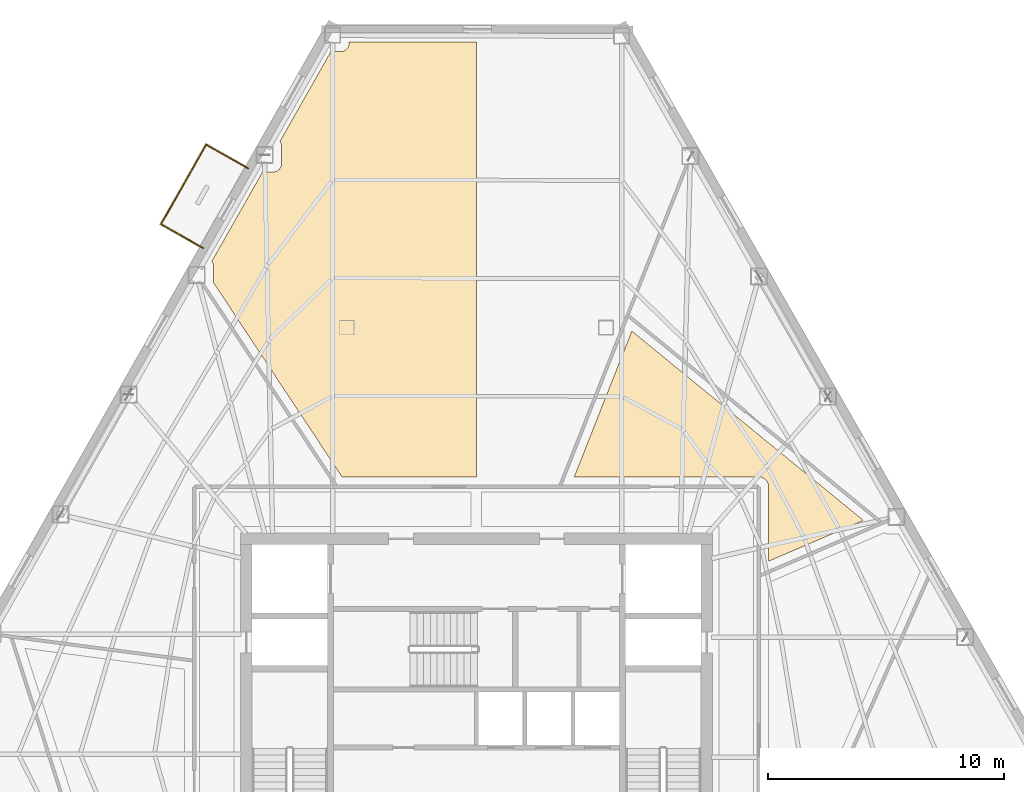
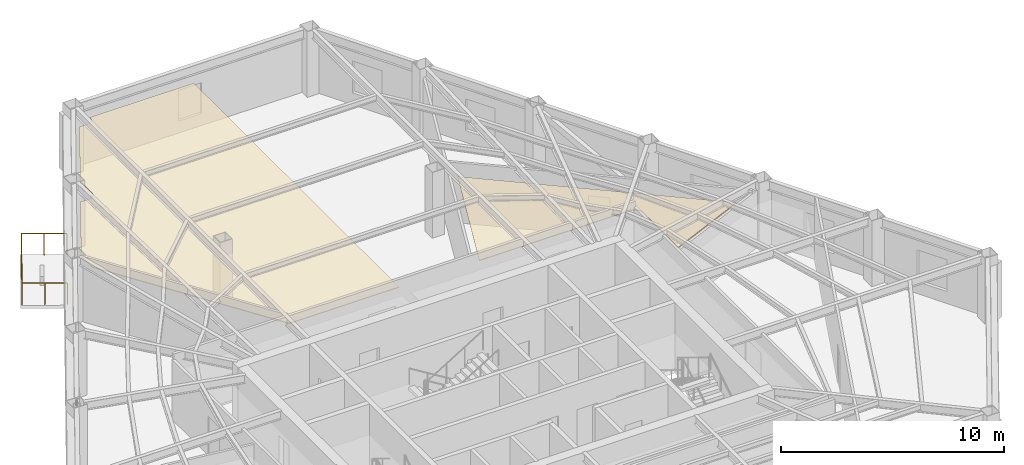
# One storey, part 13 of 13: 3 railings, 2 coverings.
"""IFC4 building model written with IfcOpenShell, lengths in metres."""

from ifc_helpers import new_model, si_unit, direction, frame, origin, origin_2d, place, context, subcontext, project, spatial, polyline, circle, outline, extrude, material, layer, layer_set, type_object, element, save


model = new_model("IFC4")

# Units and contexts
model_context = context("Model", 3, precision=1e-05, world=origin(), true_north=direction((0.0, 1.0)))
body_context = subcontext(model_context, "Body", "Model", "MODEL_VIEW")
ifc_project = project(units=[si_unit("LENGTHUNIT", "METRE"), si_unit("AREAUNIT", "SQUARE_METRE"), si_unit("VOLUMEUNIT", "CUBIC_METRE"), si_unit("PLANEANGLEUNIT", "RADIAN"), si_unit("MASSUNIT", "GRAM", prefix="KILO")], contexts=[model_context])

# Site, building, storey
site_placement = place(None, origin())
site = spatial("IfcSite", under=ifc_project, at=site_placement, CompositionType="ELEMENT")
building_placement = place(site_placement, origin())
building = spatial("IfcBuilding", under=site, at=building_placement, Name="Kavelnor Concourse Tower", CompositionType="ELEMENT")
storey_placement = place(building_placement, frame((0.0, 0.0, 97.050048828125)))
storey = spatial("IfcBuildingStorey", under=building, at=storey_placement, Name="L24", CompositionType="ELEMENT", Elevation=97.050048828125)

# Coverings
ifc_material_1 = material(Name="Mineral fibre acoustic ceiling tile")
ifc_layer = layer(ifc_material_1, 0.0400390625, Name="Mineral fibre acoustic ceiling tile")
ifc_layer_set = layer_set([ifc_layer], Name="Mineral fibre acoustic ceiling tile")
covering_type = type_object("IfcCoveringType", Name="COV-CEILING-ACOUSTIC", PredefinedType="CEILING", material=ifc_layer_set)
covering_1_placement = place(storey_placement, frame((0.0, 0.0, 2.75)))
element("IfcCovering", 1, at=covering_1_placement, inside=storey, type_object=covering_type, Name="L24 Suspended Acoustic Ceiling", PredefinedType="CEILING", context=body_context, shape_type="SweptSolid", body=[
    extrude(outline(polyline([(50.384765625, 25.132568359375), (50.374755859375, 25.1728515625), (50.360595703125, 25.2119140625), (50.343017578125, 25.24951171875), (50.321533203125, 25.284912109375), (50.296875, 25.318359375), (50.26904296875, 25.34912109375), (50.23828125, 25.376953125), (50.205078125, 25.401611328125), (50.16943359375, 25.423095703125), (50.1318359375, 25.440673828125), (50.0927734375, 25.45458984375), (50.052490234375, 25.46484375), (50.011474609375, 25.470947265625), (49.978271484375, 25.472412109375), (42.1494140625, 25.472412109375), (44.592041015625, 31.6552734375), (54.418212890625, 23.62451171875), (50.392578125, 21.890380859375), (50.392578125, 25.058349609375), (50.390869140625, 25.091552734375), (50.384765625, 25.132568359375)])), origin(), (0.0, 0.0, 1.0), 0.0400390625),
])
covering_2_placement = place(storey_placement, frame((0.0, 0.0, 2.75)))
element("IfcCovering", 2, at=covering_2_placement, inside=storey, type_object=covering_type, Name="L24 Suspended Acoustic Ceiling", PredefinedType="CEILING", context=body_context, shape_type="SweptSolid", body=[
    extrude(outline(polyline([(29.40771484375, 38.408203125), (29.44287109375, 38.413330078125), (29.47705078125, 38.422119140625), (29.510498046875, 38.433837890625), (29.54248046875, 38.448974609375), (29.57275390625, 38.46728515625), (29.60107421875, 38.48828125), (29.627197265625, 38.51220703125), (29.651123046875, 38.538330078125), (29.672119140625, 38.566650390625), (29.6904296875, 38.596923828125), (29.70556640625, 38.62890625), (29.71728515625, 38.662353515625), (29.72607421875, 38.696533203125), (29.731201171875, 38.731689453125), (29.732421875, 38.758544921875), (29.732421875, 39.4951171875), (29.731201171875, 39.522216796875), (29.72607421875, 39.55712890625), (29.71728515625, 39.591552734375), (29.70556640625, 39.624755859375), (29.6904296875, 39.65673828125), (29.672119140625, 39.68701171875), (29.6611328125, 39.7021484375), (31.822998046875, 43.509521484375), (32.246826171875, 43.509521484375), (32.27392578125, 43.5107421875), (32.308837890625, 43.51611328125), (32.34326171875, 43.524658203125), (32.37646484375, 43.53662109375), (32.408447265625, 43.551513671875), (32.438720703125, 43.56982421875), (32.46728515625, 43.5908203125), (32.493408203125, 43.61474609375), (32.51708984375, 43.640869140625), (32.538330078125, 43.669189453125), (32.556396484375, 43.69970703125), (32.571533203125, 43.731689453125), (32.58349609375, 43.764892578125), (32.592041015625, 43.79931640625), (32.597412109375, 43.834228515625), (32.5986328125, 43.861083984375), (32.5986328125, 43.927490234375), (37.9951171875, 43.91259765625), (37.9951171875, 25.472412109375), (32.2958984375, 25.472412109375), (26.846435546875, 33.708251953125), (26.846435546875, 34.41259765625), (26.84521484375, 34.439697265625), (26.83984375, 34.474609375), (26.831298828125, 34.5087890625), (26.8193359375, 34.542236328125), (26.80419921875, 34.57421875), (26.7861328125, 34.6044921875), (26.77490234375, 34.619384765625), (28.925537109375, 38.406982421875), (29.380859375, 38.406982421875), (29.40771484375, 38.408203125)])), origin(), (0.0, 0.0, 1.0), 0.0400390625),
])

# Railings
ifc_material_2 = material(Name="Architectural bronze-anodised aluminium", Category="aluminium")
railing_type = type_object("IfcRailingType", Name="RLG-TERRACE-1200", PredefinedType="BALUSTRADE", material=ifc_material_2)
railing_1_placement = place(storey_placement, frame((28.319091796875, 38.553955078125, 0.0)))
element("IfcRailing", 3, at=railing_1_placement, inside=storey, type_object=railing_type, Name="L24 Tree Balcony 1 Guardrail L", PredefinedType="BALUSTRADE", context=body_context, shape_type="SweptSolid", body=[
    extrude(circle(Radius=0.02392578125, at=origin_2d()), frame((0.0, 0.0, 1.17578125), z_axis=(-0.869573961996, 0.493802718318, 0.0), x_axis=(-0.493802718318, -0.869573961996, 0.0)), (0.0, 0.0, 1.0), 2.0498046875),
    extrude(circle(Radius=0.02099609375, at=origin_2d()), origin(), (0.0, 0.0, 1.0), 1.15185546875),
    extrude(circle(Radius=0.02099609375, at=origin_2d()), frame((-0.89111328125, 0.506103515625, 0.0)), (0.0, 0.0, 1.0), 1.15185546875),
    extrude(circle(Radius=0.02099609375, at=origin_2d()), frame((-1.782470703125, 1.01220703125, 0.0)), (0.0, 0.0, 1.0), 1.15185546875),
])
railing_2_placement = place(storey_placement, frame((26.53662109375, 39.566162109375, 0.0)))
element("IfcRailing", 4, at=railing_2_placement, inside=storey, type_object=railing_type, Name="L24 Tree Balcony 1 Guardrail F", PredefinedType="BALUSTRADE", context=body_context, shape_type="SweptSolid", body=[
    extrude(circle(Radius=0.02392578125, at=origin_2d()), frame((0.0, 0.0, 1.17578125), z_axis=(-0.493806159135, -0.869572008059, 0.0), x_axis=(0.869572008059, -0.493806159135, 0.0)), (0.0, 0.0, 1.0), 3.880126953125),
    extrude(circle(Radius=0.02099609375, at=origin_2d()), origin(), (0.0, 0.0, 1.0), 1.15185546875),
    extrude(circle(Radius=0.02099609375, at=origin_2d()), frame((-0.47900390625, -0.843505859375, 0.0)), (0.0, 0.0, 1.0), 1.15185546875),
    extrude(circle(Radius=0.02099609375, at=origin_2d()), frame((-0.9580078125, -1.68701171875, 0.0)), (0.0, 0.0, 1.0), 1.15185546875),
    extrude(circle(Radius=0.02099609375, at=origin_2d()), frame((-1.43701171875, -2.530517578125, 0.0)), (0.0, 0.0, 1.0), 1.15185546875),
    extrude(circle(Radius=0.02099609375, at=origin_2d()), frame((-1.916015625, -3.3740234375, 0.0)), (0.0, 0.0, 1.0), 1.15185546875),
])
railing_3_placement = place(storey_placement, frame((24.62060546875, 36.192138671875, 0.0)))
element("IfcRailing", 5, at=railing_3_placement, inside=storey, type_object=railing_type, Name="L24 Tree Balcony 1 Guardrail R", PredefinedType="BALUSTRADE", context=body_context, shape_type="SweptSolid", body=[
    extrude(circle(Radius=0.02392578125, at=origin_2d()), frame((0.0, 0.0, 1.17578125), z_axis=(0.869602999793, -0.493751579998, 0.0), x_axis=(0.493751579998, 0.869602999793, 0.0)), (0.0, 0.0, 1.0), 2.050048828125),
    extrude(circle(Radius=0.02099609375, at=origin_2d()), origin(), (0.0, 0.0, 1.0), 1.15185546875),
    extrude(circle(Radius=0.02099609375, at=origin_2d()), frame((0.891357421875, -0.506103515625, 0.0)), (0.0, 0.0, 1.0), 1.15185546875),
    extrude(circle(Radius=0.02099609375, at=origin_2d()), frame((1.78271484375, -1.01220703125, 0.0)), (0.0, 0.0, 1.0), 1.15185546875),
])

save(model, "model.ifc")
